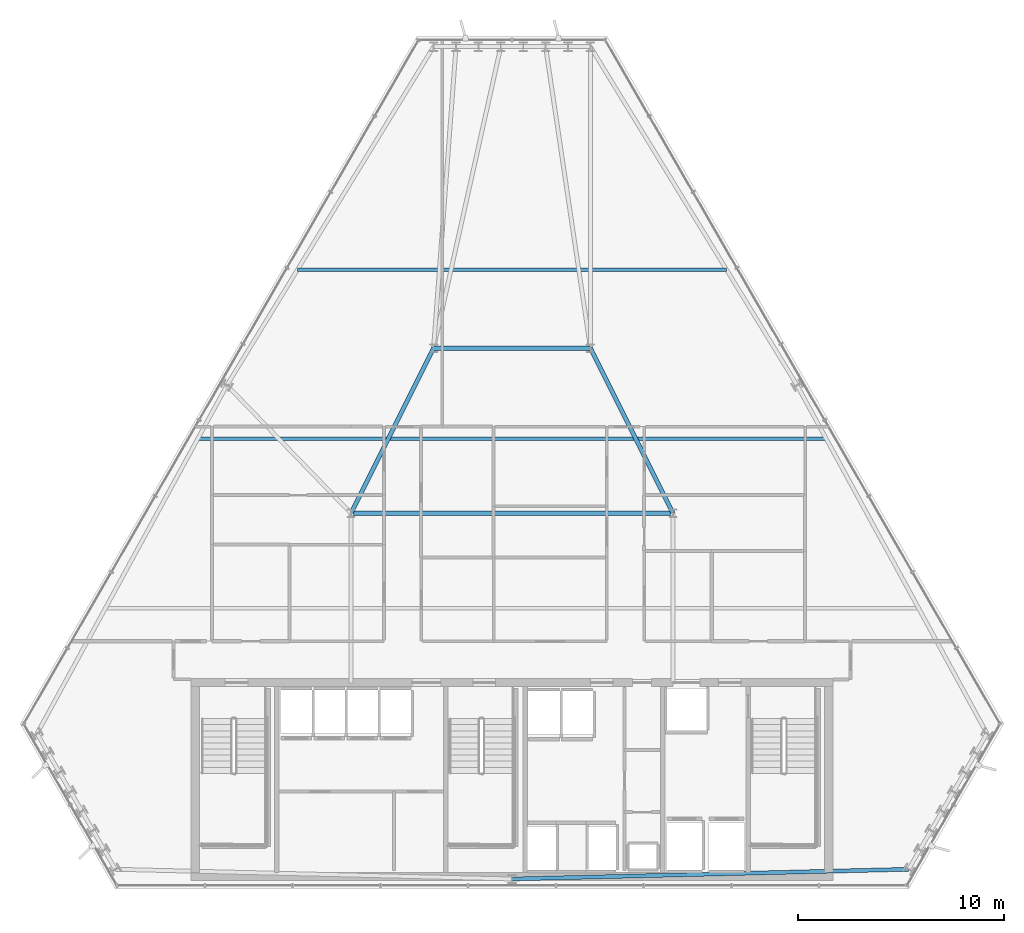
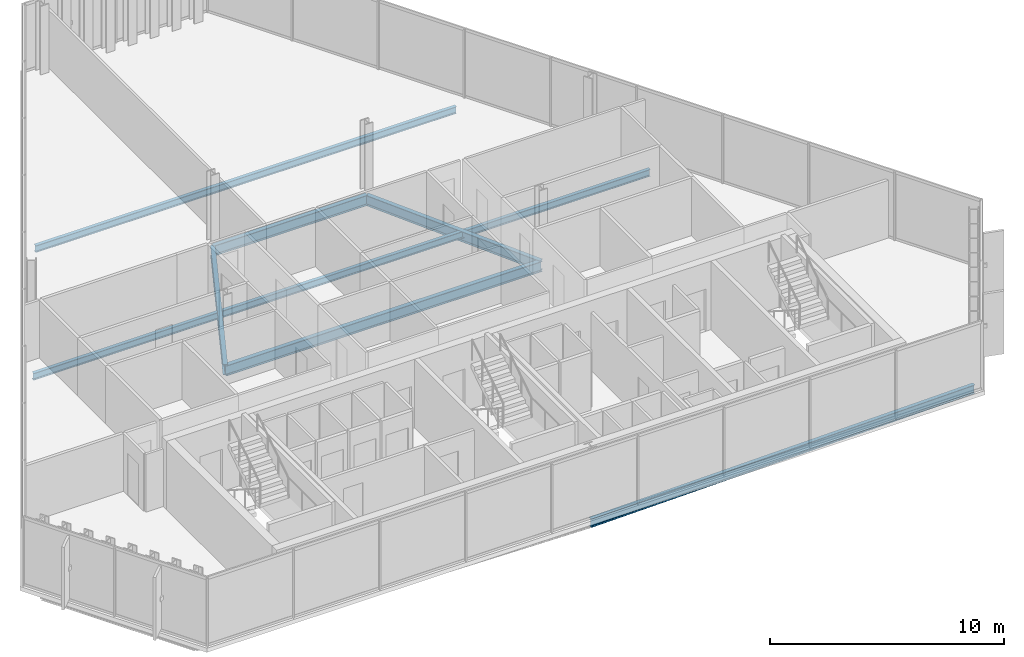
# One storey, part 13 of 34: 7 beams.
"""IFC4 building model written with IfcOpenShell, lengths in metres."""

import ifcopenshell
import ifcopenshell.guid

model = None  # the IFC model being written
_history = None  # IfcOwnerHistory: only IFC2X3 demands one
_inside = {}  # id of a spatial element -> (the spatial element, [elements in it])
_under = {}  # id of a project, library or spatial element -> (it, [spatial elements below it])
_declared = {}  # id of a project -> (the project, [libraries it declares])
_typed = {}  # id of a type object -> (the type object, [elements of that type])
_made_of = {}  # id of a material, layer set ... -> (it, [elements and type objects made of it])


def new_model(schema):
    """Start an empty IFC model of exactly this schema.

    Asked for "IFC4X3", IfcOpenShell would pick the latest addendum, in which some entities
    have other attributes; the version numbers below select the first issue.
    IFC2X3 requires an IfcOwnerHistory on every rooted entity: one is made here for all.
    """
    global model, _history
    if schema == "IFC4X3":
        model = ifcopenshell.file(schema_version=(4, 3, 0, 0))
    else:
        model = ifcopenshell.file(schema=schema)
    _inside.clear()
    _under.clear()
    _declared.clear()
    _typed.clear()
    _made_of.clear()
    _history = None
    if model.schema == "IFC2X3":
        org = make("IfcOrganization", Name="unknown")
        user = make(
            "IfcPersonAndOrganization",
            ThePerson=make("IfcPerson", FamilyName="unknown"),
            TheOrganization=org,
        )
        app = make(
            "IfcApplication",
            ApplicationDeveloper=org,
            Version="unknown",
            ApplicationFullName="unknown",
            ApplicationIdentifier="unknown",
        )
        _history = make(
            "IfcOwnerHistory",
            OwningUser=user,
            OwningApplication=app,
            ChangeAction="ADDED",
            CreationDate=0,
        )
    return model


def make(cls, **values):
    """One entity of the class cls with the attributes given. An attribute that is None is left unset."""
    return model.create_entity(
        cls, **{name: value for name, value in values.items() if value is not None}
    )


def rooted(cls, **values):
    """An entity with a GlobalId (a new one), such as an element, a storey or a relation."""
    return make(cls, GlobalId=ifcopenshell.guid.new(), OwnerHistory=_history, **values)


def si_unit(unit_type, name, prefix=None):
    """IfcSIUnit, for example si_unit("LENGTHUNIT", "METRE", prefix="MILLI")."""
    return make("IfcSIUnit", UnitType=unit_type, Prefix=prefix, Name=name)


def assignment(units):
    """IfcUnitAssignment: the units of a project."""
    return None if units is None else make("IfcUnitAssignment", Units=units)


def point(xyz):
    """IfcCartesianPoint."""
    return None if xyz is None else make("IfcCartesianPoint", Coordinates=xyz)


def direction(xyz):
    """IfcDirection."""
    return None if xyz is None else make("IfcDirection", DirectionRatios=xyz)


def frame(location, z_axis=None, x_axis=None):
    """IfcAxis2Placement3D, a coordinate frame: its origin and axes. An axis left out is left unset."""
    return make(
        "IfcAxis2Placement3D",
        Location=point(location),
        Axis=direction(z_axis),
        RefDirection=direction(x_axis),
    )


def frame_2d(location, x_axis=None):
    """IfcAxis2Placement2D, a coordinate frame in the plane: its origin and x axis."""
    return make(
        "IfcAxis2Placement2D", Location=point(location), RefDirection=direction(x_axis)
    )


def origin():
    """The frame at (0, 0, 0) with its axes left unset."""
    return frame((0.0, 0.0, 0.0))


def origin_2d():
    """The frame at (0, 0) in the plane with its x axis left unset."""
    return frame_2d((0.0, 0.0))


def place(relative_to, where):
    """IfcLocalPlacement: puts the frame where relative to a parent placement (None: the world)."""
    return make(
        "IfcLocalPlacement", PlacementRelTo=relative_to, RelativePlacement=where
    )


def context(
    kind, dimensions, precision=None, world=None, true_north=None, identifier=None
):
    """IfcGeometricRepresentationContext, for example the 3D "Model" context."""
    return make(
        "IfcGeometricRepresentationContext",
        ContextIdentifier=identifier,
        ContextType=kind,
        CoordinateSpaceDimension=dimensions,
        Precision=precision,
        WorldCoordinateSystem=world,
        TrueNorth=true_north,
    )


def subcontext(parent, identifier, kind, view, scale=None):
    """IfcGeometricRepresentationSubContext, for example "Body" below "Model"."""
    return make(
        "IfcGeometricRepresentationSubContext",
        ContextIdentifier=identifier,
        ContextType=kind,
        ParentContext=parent,
        TargetScale=scale,
        TargetView=view,
    )


def project(units=None, contexts=None):
    """IfcProject with its units and contexts."""
    return rooted(
        "IfcProject",
        Name="project",
        RepresentationContexts=contexts,
        UnitsInContext=assignment(units),
    )


def spatial(cls, under=None, at=None, **own):
    """A site, building, storey or space (cls), placed at a placement, below another one or the project."""
    s = rooted(cls, ObjectPlacement=at, **own)
    if under is not None:
        _under.setdefault(under.id(), (under, []))[1].append(s)
    return s


def profile(cls, at=None, kind="AREA", **sizes):
    """A parametric profile (cls). Its sizes go by their IFC names, for example OverallWidth=200.0."""
    return make(cls, ProfileType=kind, Position=at, **sizes)


def i_section(**sizes):
    """IfcIShapeProfileDef."""
    return profile("IfcIShapeProfileDef", **sizes)


def extrude(swept, where, along, depth):
    """IfcExtrudedAreaSolid: the profile swept, set in the frame where, extruded along a direction by depth."""
    return make(
        "IfcExtrudedAreaSolid",
        SweptArea=swept,
        Position=where,
        ExtrudedDirection=direction(along),
        Depth=depth,
    )


def shape(context_of_items, identifier, shape_type, items):
    """IfcShapeRepresentation: the items that make up one representation, for example the "Body"."""
    return make(
        "IfcShapeRepresentation",
        ContextOfItems=context_of_items,
        RepresentationIdentifier=identifier,
        RepresentationType=shape_type,
        Items=items,
    )


def material(Name=None, Category=None):
    """IfcMaterial."""
    return make("IfcMaterial", Name=Name, Category=Category)


def material_profile(
    of_material, cross_section, Name=None, Category=None, Priority=None
):
    """IfcMaterialProfile: a cross section and its material."""
    return make(
        "IfcMaterialProfile",
        Name=Name,
        Material=of_material,
        Profile=cross_section,
        Priority=Priority,
        Category=Category,
    )


def profile_set(profiles, Name=None, composite=None):
    """IfcMaterialProfileSet."""
    return make(
        "IfcMaterialProfileSet",
        Name=Name,
        MaterialProfiles=profiles,
        CompositeProfile=composite,
    )


def made_of(thing, what):
    """Note that an element or type object is made of a material, layer set ...; save() writes the relation."""
    if what is not None:
        _made_of.setdefault(what.id(), (what, []))[1].append(thing)
    return thing


def type_object(cls, material=None, **own):
    """A type object (cls), such as IfcWallType, which elements share."""
    return made_of(rooted(cls, **own), material)


def element(
    cls,
    number,
    at=None,
    inside=None,
    cuts=None,
    type_object=None,
    material=None,
    context=None,
    identifier="Body",
    shape_type=None,
    held_by="IfcProductDefinitionShape",
    body=None,
    shapes=None,
    **own,
):
    """One element of the class cls, such as IfcWall. Its Tag is "e" and its number.

    at: its placement. inside: the storey or other place that contains it. cuts: it is an
    opening in that element (IfcRelVoidsElement). A single representation is given by context,
    identifier, shape_type and body (its items); several are given by shapes. held_by: the class
    of the entity that holds the representations. save() writes the other relations.
    """
    e = rooted(cls, Tag="e%d" % number, ObjectPlacement=at, **own)
    if body is not None:
        shapes = [shape(context, identifier, shape_type, body)]
    if shapes is not None:
        e.Representation = make(held_by, Representations=shapes)
    if inside is not None:
        _inside.setdefault(inside.id(), (inside, []))[1].append(e)
    if cuts is not None:
        rooted(
            "IfcRelVoidsElement", RelatingBuildingElement=cuts, RelatedOpeningElement=e
        )
    if type_object is not None:
        _typed.setdefault(type_object.id(), (type_object, []))[1].append(e)
    return made_of(e, material)


def aggregate(whole, parts):
    """IfcRelAggregates: a whole, such as a stair, and the parts it consists of."""
    return rooted("IfcRelAggregates", RelatingObject=whole, RelatedObjects=parts)


def save(model, path):
    """Write the relations noted so far, then the file.

    IfcRelAggregates (storeys below a building ...), IfcRelContainedInSpatialStructure (elements
    in a storey), IfcRelDefinesByType, IfcRelAssociatesMaterial and IfcRelDeclares: one each for
    every whole, place, type object, material and project.
    """
    for whole, parts in _under.values():
        aggregate(whole, parts)
    for where, things in _inside.values():
        rooted(
            "IfcRelContainedInSpatialStructure",
            RelatedElements=things,
            RelatingStructure=where,
        )
    for kind, things in _typed.values():
        rooted("IfcRelDefinesByType", RelatedObjects=things, RelatingType=kind)
    for what, things in _made_of.values():
        rooted("IfcRelAssociatesMaterial", RelatedObjects=things, RelatingMaterial=what)
    for by, libraries in _declared.values():
        rooted("IfcRelDeclares", RelatingContext=by, RelatedDefinitions=libraries)
    model.write(path)


model = new_model("IFC4")

# Units and contexts
model_context = context("Model", 3, precision=1e-05, world=origin(), true_north=direction((0.0, 1.0)))
body_context = subcontext(model_context, "Body", "Model", "MODEL_VIEW")
ifc_project = project(units=[si_unit("LENGTHUNIT", "METRE"), si_unit("AREAUNIT", "SQUARE_METRE"), si_unit("VOLUMEUNIT", "CUBIC_METRE"), si_unit("PLANEANGLEUNIT", "RADIAN"), si_unit("MASSUNIT", "GRAM", prefix="KILO")], contexts=[model_context])

# Site, building, storey
site_placement = place(None, origin())
site = spatial("IfcSite", under=ifc_project, at=site_placement, CompositionType="ELEMENT")
building_placement = place(site_placement, origin())
building = spatial("IfcBuilding", under=site, at=building_placement, Name="Ndaravel Arena Tower", CompositionType="ELEMENT")
storey_placement = place(building_placement, frame((0.0, 0.0, 195.39990234375)))
storey = spatial("IfcBuildingStorey", under=building, at=storey_placement, Name="L47", CompositionType="ELEMENT", Elevation=195.39990234375)

# Beams
ifc_material_1 = material(Name="Steel S355", Category="steel")
ifc_material_profile_1 = material_profile(ifc_material_1, i_section(OverallWidth=0.210693359375, OverallDepth=0.53955078125, WebThickness=0.01171875, FlangeThickness=0.018798828125, FilletRadius=0.0126953125, at=origin_2d()), Name="UB 533x210x109")
ifc_profile_set_1 = profile_set([ifc_material_profile_1], Name="Steel S355")
beam_type_1 = type_object("IfcBeamType", Name="BM-GIRD-UB533", PredefinedType="BEAM", material=ifc_profile_set_1)
beam_1_placement = place(storey_placement, frame((34.199951171875, 23.199951171875, -0.489501953125), z_axis=(1.0, 0.0, 0.0), x_axis=(0.0, 1.0, 0.0)))
element("IfcBeam", 1, at=beam_1_placement, inside=storey, type_object=beam_type_1, Name="L47 Spine Link Girder SLG-03", PredefinedType="BEAM", context=body_context, shape_type="SweptSolid", body=[
    extrude(i_section(OverallWidth=0.210693359375, OverallDepth=0.53955078125, WebThickness=0.01171875, FlangeThickness=0.018798828125, FilletRadius=0.0126953125, at=origin_2d()), origin(), (0.0, 0.0, 1.0), 15.60009765625),
])
for number, where, z_axis, x_axis, name in (
    (2, (34.199951171875, 23.199951171875, -0.489501953125), (0.4472135955, 0.894427191, 0.0), (-0.894427191, 0.4472135955, 0.0), "L47 Spine Link Girder SLG-04"),
    (3, (49.800048828125, 23.199951171875, -0.489501953125), (-0.4472135955, 0.894427191, 0.0), (-0.894427191, -0.4472135955, 0.0), "L47 Spine Link Girder SLG-05"),
):
    element("IfcBeam", number, at=place(storey_placement, frame(where, z_axis=z_axis, x_axis=x_axis)), inside=storey, type_object=beam_type_1, Name=name, PredefinedType="BEAM", context=body_context, shape_type="SweptSolid", body=[
        extrude(i_section(OverallWidth=0.210693359375, OverallDepth=0.53955078125, WebThickness=0.01171875, FlangeThickness=0.018798828125, FilletRadius=0.0126953125, at=origin_2d()), origin(), (0.0, 0.0, 1.0), 8.9443359375),
    ])
beam_2_placement = place(storey_placement, frame((38.199951171875, 31.199951171875, -0.489501953125), z_axis=(1.0, 0.0, 0.0), x_axis=(0.0, 1.0, 0.0)))
element("IfcBeam", 4, at=beam_2_placement, inside=storey, type_object=beam_type_1, Name="L47 Spine Link Girder SLG-06", PredefinedType="BEAM", context=body_context, shape_type="SweptSolid", body=[
    extrude(i_section(OverallWidth=0.210693359375, OverallDepth=0.53955078125, WebThickness=0.01171875, FlangeThickness=0.018798828125, FilletRadius=0.0126953125, at=origin_2d()), origin(), (0.0, 0.0, 1.0), 7.60009765625),
])
ifc_material_2 = material(Name="Steel S355", Category="steel")
ifc_material_profile_2 = material_profile(ifc_material_2, i_section(OverallWidth=0.172119140625, OverallDepth=0.35791015625, WebThickness=0.008056640625, FlangeThickness=0.012939453125, FilletRadius=0.01025390625, at=origin_2d()), Name="UB 356x171x57")
ifc_profile_set_2 = profile_set([ifc_material_profile_2], Name="Steel S355")
beam_type_2 = type_object("IfcBeamType", Name="BM-JOIST-UB356", PredefinedType="JOIST", material=ifc_profile_set_2)
beam_3_placement = place(storey_placement, frame((26.772216796875, 26.800048828125, -0.39892578125), z_axis=(1.0, 0.0, 0.0), x_axis=(0.0, 1.0, 0.0)))
element("IfcBeam", 5, at=beam_3_placement, inside=storey, type_object=beam_type_2, Name="L47 Composite Floor Joist FJ-02", PredefinedType="JOIST", context=body_context, shape_type="SweptSolid", body=[
    extrude(i_section(OverallWidth=0.172119140625, OverallDepth=0.35791015625, WebThickness=0.008056640625, FlangeThickness=0.012939453125, FilletRadius=0.01025390625, at=origin_2d()), origin(), (0.0, 0.0, 1.0), 30.45556640625),
])
beam_4_placement = place(storey_placement, frame((31.60791015625, 35.0, -0.39892578125), z_axis=(1.0, 0.0, 0.0), x_axis=(0.0, 1.0, 0.0)))
element("IfcBeam", 6, at=beam_4_placement, inside=storey, type_object=beam_type_2, Name="L47 Composite Floor Joist FJ-03", PredefinedType="JOIST", context=body_context, shape_type="SweptSolid", body=[
    extrude(i_section(OverallWidth=0.172119140625, OverallDepth=0.35791015625, WebThickness=0.008056640625, FlangeThickness=0.012939453125, FilletRadius=0.01025390625, at=origin_2d()), origin(), (0.0, 0.0, 1.0), 20.7841796875),
])
ifc_material_3 = material(Name="Steel S355", Category="steel")
ifc_material_profile_3 = material_profile(ifc_material_3, i_section(OverallWidth=0.18994140625, OverallDepth=0.449951171875, WebThickness=0.009521484375, FlangeThickness=0.0146484375, FilletRadius=0.02099609375, at=origin_2d()), Name="IPE 450")
ifc_profile_set_3 = profile_set([ifc_material_profile_3], Name="Steel S355")
beam_type_3 = type_object("IfcBeamType", Name="BM-SPAN-IPE450", PredefinedType="SPANDREL", material=ifc_profile_set_3)
beam_5_placement = place(storey_placement, frame((42.0, 5.47998046875, -0.44482421875), z_axis=(0.999701337361, 0.02443841399, 0.0), x_axis=(-0.02443841399, 0.999701337361, 0.0)))
element("IfcBeam", 7, at=beam_5_placement, inside=storey, type_object=beam_type_3, Name="L47 Perimeter Spandrel Beam SP-01", PredefinedType="SPANDREL", context=body_context, shape_type="SweptSolid", body=[
    extrude(i_section(OverallWidth=0.18994140625, OverallDepth=0.449951171875, WebThickness=0.009521484375, FlangeThickness=0.0146484375, FilletRadius=0.02099609375, at=origin_2d()), origin(), (0.0, 0.0, 1.0), 19.220947265625),
])

save(model, "model.ifc")
